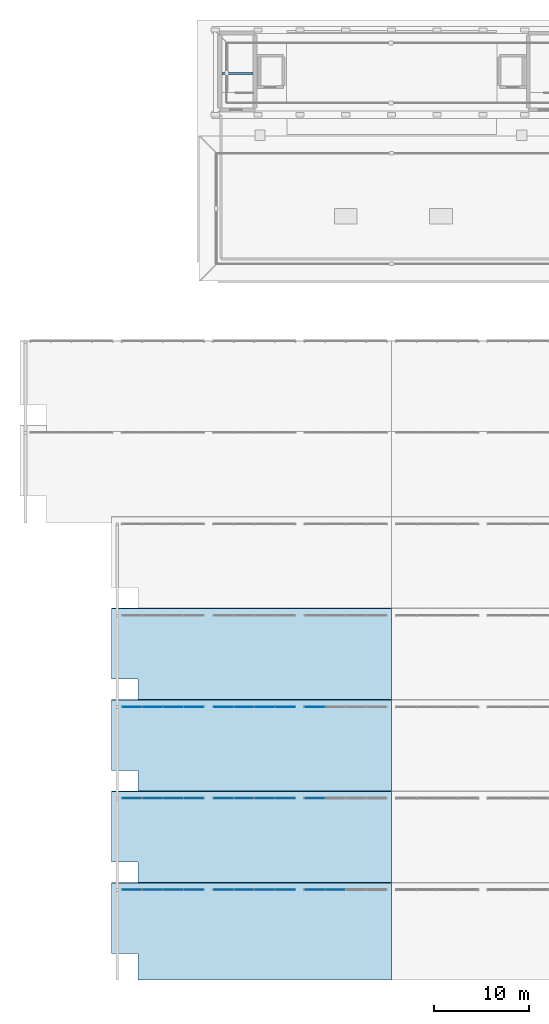
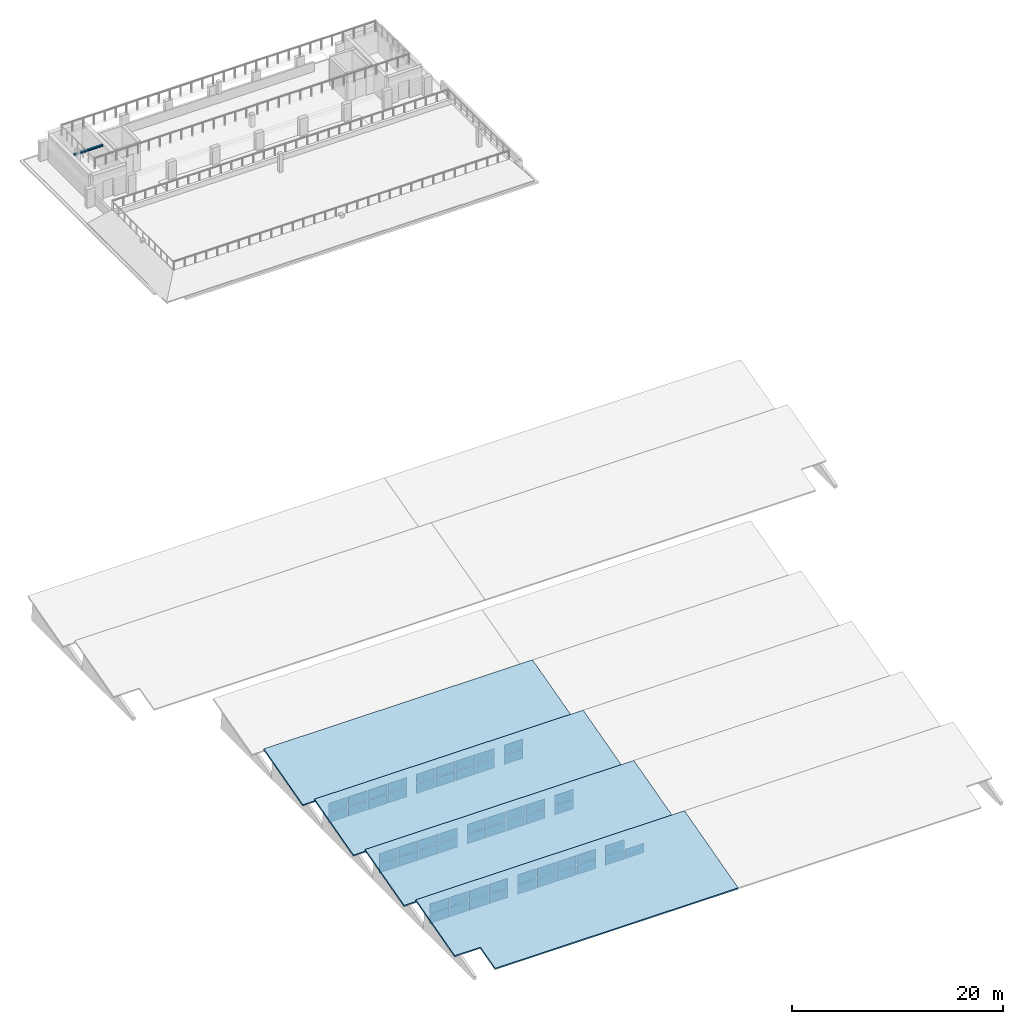
# One storey, part 10 of 18: 55 plates, 4 slabs, 1 beam, 9 elements without a shape of their own.
"""IFC4 building model written with IfcOpenShell, lengths in metres."""

from ifc_helpers import new_model, si_unit, direction, frame, origin, origin_2d, place, context, subcontext, project, spatial, polyline, rectangle, i_section, outline, extrude, material, layer, layer_set, material_profile, profile_set, type_object, element, aggregate, save


model = new_model("IFC4")

# Units and contexts
model_context = context("Model", 3, precision=1e-05, world=origin(), true_north=direction((0.0, 1.0)))
body_context = subcontext(model_context, "Body", "Model", "MODEL_VIEW")
ifc_project = project(units=[si_unit("LENGTHUNIT", "METRE"), si_unit("AREAUNIT", "SQUARE_METRE"), si_unit("VOLUMEUNIT", "CUBIC_METRE"), si_unit("PLANEANGLEUNIT", "RADIAN"), si_unit("MASSUNIT", "GRAM", prefix="KILO")], contexts=[model_context])

# Site, building, storey
site_placement = place(None, origin())
site = spatial("IfcSite", under=ifc_project, at=site_placement, CompositionType="ELEMENT")
building_placement = place(site_placement, origin())
building = spatial("IfcBuilding", under=site, at=building_placement, Name="Bempovik Park Faculty of Sciences", CompositionType="ELEMENT")
storey_placement = place(building_placement, frame((0.0, 0.0, 50.10009765625)))
storey = spatial("IfcBuildingStorey", under=building, at=storey_placement, Name="Roof", CompositionType="ELEMENT", Elevation=50.10009765625)

# Beam
ifc_material_1 = material(Name="Steel S355", Category="steel")
ifc_material_profile = material_profile(ifc_material_1, i_section(OverallWidth=0.199951171875, OverallDepth=0.199951171875, WebThickness=0.009033203125, FlangeThickness=0.014892578125, at=origin_2d()), Name="HEB 200")
ifc_profile_set = profile_set([ifc_material_profile], Name="Steel S355")
beam_type = type_object("IfcBeamType", Name="B-027 HEB 200", PredefinedType="BEAM", material=ifc_profile_set)
beam_placement = place(storey_placement, frame((71.006103515625, 115.0, 3.099853515625), z_axis=(1.0, 0.0, 0.0), x_axis=(0.0, 1.0, 0.0)))
element("IfcBeam", 1, at=beam_placement, inside=storey, type_object=beam_type, Name="Roof Head-House Trimmer Beam", PredefinedType="BEAM", context=body_context, shape_type="SweptSolid", body=[
    extrude(i_section(OverallWidth=0.199951171875, OverallDepth=0.199951171875, WebThickness=0.009033203125, FlangeThickness=0.014892578125, at=origin_2d()), origin(), (0.0, 0.0, 1.0), 3.23779296875),
])

# Curtain wall, plates
ifc_material_2 = material(Name="Tempered laminated low-E glass", Category="glass")
ifc_layer_1 = layer(ifc_material_2, 0.159912109375)
ifc_layer_set_1 = layer_set([ifc_layer_1], Name="Tempered laminated low-E glass")
curtain_wall_type_1 = type_object("IfcCurtainWallType", Name="CW-17 Curtain 7200x2550", PredefinedType="USERDEFINED", material=ifc_layer_set_1)
curtain_wall_1_placement = place(storey_placement, origin())
curtain_wall_1 = element("IfcCurtainWall", 2, at=curtain_wall_1_placement, inside=storey, type_object=curtain_wall_type_1, Name="V1 Sawtooth North-Light Clerestory Bay 1 (60.0-69.6)", ObjectType="NORTH LIGHT CLERESTORY", PredefinedType="USERDEFINED")
ifc_layer_2 = layer(ifc_material_2, 0.031982421875)
ifc_layer_set_2 = layer_set([ifc_layer_2], Name="Tempered laminated low-E glass")
plate_type = type_object("IfcPlateType", Name="CP-23 Curtain Panel 32mm", PredefinedType="CURTAIN_PANEL", material=ifc_layer_set_2)
plate_1_placement = place(storey_placement, frame((61.56005859375, 29.280029296875, -30.16015625), z_axis=(0.0, 0.0, 1.0), x_axis=(1.0, 0.0, 0.0)))
plate_1 = element("IfcPlate", 3, at=plate_1_placement, type_object=plate_type, Name="CW-NL-V1-B1-600 Panel 0-0", PredefinedType="CURTAIN_PANEL", context=body_context, shape_type="SweptSolid", body=[
    extrude(rectangle(XDim=2.080078125, YDim=0.035888671875, at=origin_2d()), origin(), (0.0, 0.0, 1.0), 1.09619140625),
])
plate_2_placement = place(storey_placement, frame((61.56005859375, 29.280029296875, -28.98388671875), z_axis=(0.0, 0.0, 1.0), x_axis=(1.0, 0.0, 0.0)))
plate_2 = element("IfcPlate", 4, at=plate_2_placement, type_object=plate_type, Name="CW-NL-V1-B1-600 Panel 0-1", PredefinedType="CURTAIN_PANEL", context=body_context, shape_type="SweptSolid", body=[
    extrude(rectangle(XDim=2.080078125, YDim=0.035888671875, at=origin_2d()), origin(), (0.0, 0.0, 1.0), 1.09619140625),
])
plate_3_placement = place(storey_placement, frame((63.719970703125, 29.280029296875, -30.16015625), z_axis=(0.0, 0.0, 1.0), x_axis=(1.0, 0.0, 0.0)))
plate_3 = element("IfcPlate", 5, at=plate_3_placement, type_object=plate_type, Name="CW-NL-V1-B1-600 Panel 1-0", PredefinedType="CURTAIN_PANEL", context=body_context, shape_type="SweptSolid", body=[
    extrude(rectangle(XDim=2.080078125, YDim=0.035888671875, at=origin_2d()), origin(), (0.0, 0.0, 1.0), 1.09619140625),
])
plate_4_placement = place(storey_placement, frame((63.719970703125, 29.280029296875, -28.98388671875), z_axis=(0.0, 0.0, 1.0), x_axis=(1.0, 0.0, 0.0)))
plate_4 = element("IfcPlate", 6, at=plate_4_placement, type_object=plate_type, Name="CW-NL-V1-B1-600 Panel 1-1", PredefinedType="CURTAIN_PANEL", context=body_context, shape_type="SweptSolid", body=[
    extrude(rectangle(XDim=2.080078125, YDim=0.035888671875, at=origin_2d()), origin(), (0.0, 0.0, 1.0), 1.09619140625),
])
plate_5_placement = place(storey_placement, frame((65.8798828125, 29.280029296875, -30.16015625), z_axis=(0.0, 0.0, 1.0), x_axis=(1.0, 0.0, 0.0)))
plate_5 = element("IfcPlate", 7, at=plate_5_placement, type_object=plate_type, Name="CW-NL-V1-B1-600 Panel 2-0", PredefinedType="CURTAIN_PANEL", context=body_context, shape_type="SweptSolid", body=[
    extrude(rectangle(XDim=2.080078125, YDim=0.035888671875, at=origin_2d()), origin(), (0.0, 0.0, 1.0), 1.09619140625),
])
plate_6_placement = place(storey_placement, frame((65.8798828125, 29.280029296875, -28.98388671875), z_axis=(0.0, 0.0, 1.0), x_axis=(1.0, 0.0, 0.0)))
plate_6 = element("IfcPlate", 8, at=plate_6_placement, type_object=plate_type, Name="CW-NL-V1-B1-600 Panel 2-1", PredefinedType="CURTAIN_PANEL", context=body_context, shape_type="SweptSolid", body=[
    extrude(rectangle(XDim=2.080078125, YDim=0.035888671875, at=origin_2d()), origin(), (0.0, 0.0, 1.0), 1.09619140625),
])
plate_7_placement = place(storey_placement, frame((68.0400390625, 29.280029296875, -30.16015625), z_axis=(0.0, 0.0, 1.0), x_axis=(1.0, 0.0, 0.0)))
plate_7 = element("IfcPlate", 9, at=plate_7_placement, type_object=plate_type, Name="CW-NL-V1-B1-600 Panel 3-0", PredefinedType="CURTAIN_PANEL", context=body_context, shape_type="SweptSolid", body=[
    extrude(rectangle(XDim=2.080078125, YDim=0.035888671875, at=origin_2d()), origin(), (0.0, 0.0, 1.0), 1.09619140625),
])
plate_8_placement = place(storey_placement, frame((68.0400390625, 29.280029296875, -28.98388671875), z_axis=(0.0, 0.0, 1.0), x_axis=(1.0, 0.0, 0.0)))
plate_8 = element("IfcPlate", 10, at=plate_8_placement, type_object=plate_type, Name="CW-NL-V1-B1-600 Panel 3-1", PredefinedType="CURTAIN_PANEL", context=body_context, shape_type="SweptSolid", body=[
    extrude(rectangle(XDim=2.080078125, YDim=0.035888671875, at=origin_2d()), origin(), (0.0, 0.0, 1.0), 1.09619140625),
])
aggregate(curtain_wall_1, [plate_1, plate_2, plate_3, plate_4, plate_5, plate_6, plate_7, plate_8])

ifc_layer_3 = layer(ifc_material_2, 0.159912109375)
ifc_layer_set_3 = layer_set([ifc_layer_3], Name="Tempered laminated low-E glass")
curtain_wall_type_2 = type_object("IfcCurtainWallType", Name="CW-53 Curtain 8000x2550", PredefinedType="USERDEFINED", material=ifc_layer_set_3)
curtain_wall_2_placement = place(storey_placement, origin())
curtain_wall_2 = element("IfcCurtainWall", 11, at=curtain_wall_2_placement, inside=storey, type_object=curtain_wall_type_2, Name="V1 Sawtooth North-Light Clerestory Bay 1 (69.6-79.2)", ObjectType="NORTH LIGHT CLERESTORY", PredefinedType="USERDEFINED")
plate_9_placement = place(storey_placement, frame((71.159912109375, 29.280029296875, -30.16015625), z_axis=(0.0, 0.0, 1.0), x_axis=(1.0, 0.0, 0.0)))
plate_9 = element("IfcPlate", 12, at=plate_9_placement, type_object=plate_type, Name="CW-NL-V1-B1-696 Panel 0-0", PredefinedType="CURTAIN_PANEL", context=body_context, shape_type="SweptSolid", body=[
    extrude(rectangle(XDim=2.080078125, YDim=0.035888671875, at=origin_2d()), origin(), (0.0, 0.0, 1.0), 1.09619140625),
])
plate_10_placement = place(storey_placement, frame((71.159912109375, 29.280029296875, -28.98388671875), z_axis=(0.0, 0.0, 1.0), x_axis=(1.0, 0.0, 0.0)))
plate_10 = element("IfcPlate", 13, at=plate_10_placement, type_object=plate_type, Name="CW-NL-V1-B1-696 Panel 0-1", PredefinedType="CURTAIN_PANEL", context=body_context, shape_type="SweptSolid", body=[
    extrude(rectangle(XDim=2.080078125, YDim=0.035888671875, at=origin_2d()), origin(), (0.0, 0.0, 1.0), 1.09619140625),
])
plate_11_placement = place(storey_placement, frame((73.320068359375, 29.280029296875, -30.16015625), z_axis=(0.0, 0.0, 1.0), x_axis=(1.0, 0.0, 0.0)))
plate_11 = element("IfcPlate", 14, at=plate_11_placement, type_object=plate_type, Name="CW-NL-V1-B1-696 Panel 1-0", PredefinedType="CURTAIN_PANEL", context=body_context, shape_type="SweptSolid", body=[
    extrude(rectangle(XDim=2.080078125, YDim=0.035888671875, at=origin_2d()), origin(), (0.0, 0.0, 1.0), 1.09619140625),
])
plate_12_placement = place(storey_placement, frame((73.320068359375, 29.280029296875, -28.98388671875), z_axis=(0.0, 0.0, 1.0), x_axis=(1.0, 0.0, 0.0)))
plate_12 = element("IfcPlate", 15, at=plate_12_placement, type_object=plate_type, Name="CW-NL-V1-B1-696 Panel 1-1", PredefinedType="CURTAIN_PANEL", context=body_context, shape_type="SweptSolid", body=[
    extrude(rectangle(XDim=2.080078125, YDim=0.035888671875, at=origin_2d()), origin(), (0.0, 0.0, 1.0), 1.09619140625),
])
plate_13_placement = place(storey_placement, frame((75.47998046875, 29.280029296875, -30.16015625), z_axis=(0.0, 0.0, 1.0), x_axis=(1.0, 0.0, 0.0)))
plate_13 = element("IfcPlate", 16, at=plate_13_placement, type_object=plate_type, Name="CW-NL-V1-B1-696 Panel 2-0", PredefinedType="CURTAIN_PANEL", context=body_context, shape_type="SweptSolid", body=[
    extrude(rectangle(XDim=2.080078125, YDim=0.035888671875, at=origin_2d()), origin(), (0.0, 0.0, 1.0), 1.09619140625),
])
plate_14_placement = place(storey_placement, frame((75.47998046875, 29.280029296875, -28.98388671875), z_axis=(0.0, 0.0, 1.0), x_axis=(1.0, 0.0, 0.0)))
plate_14 = element("IfcPlate", 17, at=plate_14_placement, type_object=plate_type, Name="CW-NL-V1-B1-696 Panel 2-1", PredefinedType="CURTAIN_PANEL", context=body_context, shape_type="SweptSolid", body=[
    extrude(rectangle(XDim=2.080078125, YDim=0.035888671875, at=origin_2d()), origin(), (0.0, 0.0, 1.0), 1.09619140625),
])
plate_15_placement = place(storey_placement, frame((77.639892578125, 29.280029296875, -30.16015625), z_axis=(0.0, 0.0, 1.0), x_axis=(1.0, 0.0, 0.0)))
plate_15 = element("IfcPlate", 18, at=plate_15_placement, type_object=plate_type, Name="CW-NL-V1-B1-696 Panel 3-0", PredefinedType="CURTAIN_PANEL", context=body_context, shape_type="SweptSolid", body=[
    extrude(rectangle(XDim=2.080078125, YDim=0.035888671875, at=origin_2d()), origin(), (0.0, 0.0, 1.0), 1.09619140625),
])
plate_16_placement = place(storey_placement, frame((77.639892578125, 29.280029296875, -28.98388671875), z_axis=(0.0, 0.0, 1.0), x_axis=(1.0, 0.0, 0.0)))
plate_16 = element("IfcPlate", 19, at=plate_16_placement, type_object=plate_type, Name="CW-NL-V1-B1-696 Panel 3-1", PredefinedType="CURTAIN_PANEL", context=body_context, shape_type="SweptSolid", body=[
    extrude(rectangle(XDim=2.080078125, YDim=0.035888671875, at=origin_2d()), origin(), (0.0, 0.0, 1.0), 1.09619140625),
])
aggregate(curtain_wall_2, [plate_9, plate_10, plate_11, plate_12, plate_13, plate_14, plate_15, plate_16])

curtain_wall_3_placement = place(storey_placement, origin())
curtain_wall_3 = element("IfcCurtainWall", 20, at=curtain_wall_3_placement, inside=storey, type_object=curtain_wall_type_2, Name="V1 Sawtooth North-Light Clerestory Bay 1 (79.2-88.8)", ObjectType="NORTH LIGHT CLERESTORY", PredefinedType="USERDEFINED")
plate_17_placement = place(storey_placement, frame((80.760009765625, 29.280029296875, -30.16015625), z_axis=(0.0, 0.0, 1.0), x_axis=(1.0, 0.0, 0.0)))
plate_17 = element("IfcPlate", 21, at=plate_17_placement, type_object=plate_type, Name="CW-NL-V1-B1-792 Panel 0-0", PredefinedType="CURTAIN_PANEL", context=body_context, shape_type="SweptSolid", body=[
    extrude(rectangle(XDim=2.080078125, YDim=0.035888671875, at=origin_2d()), origin(), (0.0, 0.0, 1.0), 1.09619140625),
])
plate_18_placement = place(storey_placement, frame((80.760009765625, 29.280029296875, -28.98388671875), z_axis=(0.0, 0.0, 1.0), x_axis=(1.0, 0.0, 0.0)))
plate_18 = element("IfcPlate", 22, at=plate_18_placement, type_object=plate_type, Name="CW-NL-V1-B1-792 Panel 0-1", PredefinedType="CURTAIN_PANEL", context=body_context, shape_type="SweptSolid", body=[
    extrude(rectangle(XDim=2.080078125, YDim=0.035888671875, at=origin_2d()), origin(), (0.0, 0.0, 1.0), 1.09619140625),
])
plate_19_placement = place(storey_placement, frame((82.919921875, 29.280029296875, -30.16015625), z_axis=(0.0, 0.0, 1.0), x_axis=(1.0, 0.0, 0.0)))
plate_19 = element("IfcPlate", 23, at=plate_19_placement, type_object=plate_type, Name="CW-NL-V1-B1-792 Panel 1-0", PredefinedType="CURTAIN_PANEL", context=body_context, shape_type="SweptSolid", body=[
    extrude(rectangle(XDim=2.080078125, YDim=0.035888671875, at=origin_2d()), origin(), (0.0, 0.0, 1.0), 1.09619140625),
])
aggregate(curtain_wall_3, [plate_17, plate_18, plate_19])

curtain_wall_4_placement = place(storey_placement, origin())
curtain_wall_4 = element("IfcCurtainWall", 24, at=curtain_wall_4_placement, inside=storey, type_object=curtain_wall_type_1, Name="V1 Sawtooth North-Light Clerestory Bay 2 (60.0-69.6)", ObjectType="NORTH LIGHT CLERESTORY", PredefinedType="USERDEFINED")
plate_20_placement = place(storey_placement, frame((61.56005859375, 38.8798828125, -30.16015625), z_axis=(0.0, 0.0, 1.0), x_axis=(1.0, 0.0, 0.0)))
plate_20 = element("IfcPlate", 25, at=plate_20_placement, type_object=plate_type, Name="CW-NL-V1-B2-600 Panel 0-0", PredefinedType="CURTAIN_PANEL", context=body_context, shape_type="SweptSolid", body=[
    extrude(rectangle(XDim=2.080078125, YDim=0.035888671875, at=origin_2d()), origin(), (0.0, 0.0, 1.0), 1.09619140625),
])
plate_21_placement = place(storey_placement, frame((61.56005859375, 38.8798828125, -28.98388671875), z_axis=(0.0, 0.0, 1.0), x_axis=(1.0, 0.0, 0.0)))
plate_21 = element("IfcPlate", 26, at=plate_21_placement, type_object=plate_type, Name="CW-NL-V1-B2-600 Panel 0-1", PredefinedType="CURTAIN_PANEL", context=body_context, shape_type="SweptSolid", body=[
    extrude(rectangle(XDim=2.080078125, YDim=0.035888671875, at=origin_2d()), origin(), (0.0, 0.0, 1.0), 1.09619140625),
])
plate_22_placement = place(storey_placement, frame((63.719970703125, 38.8798828125, -30.16015625), z_axis=(0.0, 0.0, 1.0), x_axis=(1.0, 0.0, 0.0)))
plate_22 = element("IfcPlate", 27, at=plate_22_placement, type_object=plate_type, Name="CW-NL-V1-B2-600 Panel 1-0", PredefinedType="CURTAIN_PANEL", context=body_context, shape_type="SweptSolid", body=[
    extrude(rectangle(XDim=2.080078125, YDim=0.035888671875, at=origin_2d()), origin(), (0.0, 0.0, 1.0), 1.09619140625),
])
plate_23_placement = place(storey_placement, frame((63.719970703125, 38.8798828125, -28.98388671875), z_axis=(0.0, 0.0, 1.0), x_axis=(1.0, 0.0, 0.0)))
plate_23 = element("IfcPlate", 28, at=plate_23_placement, type_object=plate_type, Name="CW-NL-V1-B2-600 Panel 1-1", PredefinedType="CURTAIN_PANEL", context=body_context, shape_type="SweptSolid", body=[
    extrude(rectangle(XDim=2.080078125, YDim=0.035888671875, at=origin_2d()), origin(), (0.0, 0.0, 1.0), 1.09619140625),
])
plate_24_placement = place(storey_placement, frame((65.8798828125, 38.8798828125, -30.16015625), z_axis=(0.0, 0.0, 1.0), x_axis=(1.0, 0.0, 0.0)))
plate_24 = element("IfcPlate", 29, at=plate_24_placement, type_object=plate_type, Name="CW-NL-V1-B2-600 Panel 2-0", PredefinedType="CURTAIN_PANEL", context=body_context, shape_type="SweptSolid", body=[
    extrude(rectangle(XDim=2.080078125, YDim=0.035888671875, at=origin_2d()), origin(), (0.0, 0.0, 1.0), 1.09619140625),
])
plate_25_placement = place(storey_placement, frame((65.8798828125, 38.8798828125, -28.98388671875), z_axis=(0.0, 0.0, 1.0), x_axis=(1.0, 0.0, 0.0)))
plate_25 = element("IfcPlate", 30, at=plate_25_placement, type_object=plate_type, Name="CW-NL-V1-B2-600 Panel 2-1", PredefinedType="CURTAIN_PANEL", context=body_context, shape_type="SweptSolid", body=[
    extrude(rectangle(XDim=2.080078125, YDim=0.035888671875, at=origin_2d()), origin(), (0.0, 0.0, 1.0), 1.09619140625),
])
plate_26_placement = place(storey_placement, frame((68.0400390625, 38.8798828125, -30.16015625), z_axis=(0.0, 0.0, 1.0), x_axis=(1.0, 0.0, 0.0)))
plate_26 = element("IfcPlate", 31, at=plate_26_placement, type_object=plate_type, Name="CW-NL-V1-B2-600 Panel 3-0", PredefinedType="CURTAIN_PANEL", context=body_context, shape_type="SweptSolid", body=[
    extrude(rectangle(XDim=2.080078125, YDim=0.035888671875, at=origin_2d()), origin(), (0.0, 0.0, 1.0), 1.09619140625),
])
plate_27_placement = place(storey_placement, frame((68.0400390625, 38.8798828125, -28.98388671875), z_axis=(0.0, 0.0, 1.0), x_axis=(1.0, 0.0, 0.0)))
plate_27 = element("IfcPlate", 32, at=plate_27_placement, type_object=plate_type, Name="CW-NL-V1-B2-600 Panel 3-1", PredefinedType="CURTAIN_PANEL", context=body_context, shape_type="SweptSolid", body=[
    extrude(rectangle(XDim=2.080078125, YDim=0.035888671875, at=origin_2d()), origin(), (0.0, 0.0, 1.0), 1.09619140625),
])
aggregate(curtain_wall_4, [plate_20, plate_21, plate_22, plate_23, plate_24, plate_25, plate_26, plate_27])

curtain_wall_5_placement = place(storey_placement, origin())
curtain_wall_5 = element("IfcCurtainWall", 33, at=curtain_wall_5_placement, inside=storey, type_object=curtain_wall_type_2, Name="V1 Sawtooth North-Light Clerestory Bay 2 (69.6-79.2)", ObjectType="NORTH LIGHT CLERESTORY", PredefinedType="USERDEFINED")
plate_28_placement = place(storey_placement, frame((71.159912109375, 38.8798828125, -30.16015625), z_axis=(0.0, 0.0, 1.0), x_axis=(1.0, 0.0, 0.0)))
plate_28 = element("IfcPlate", 34, at=plate_28_placement, type_object=plate_type, Name="CW-NL-V1-B2-696 Panel 0-0", PredefinedType="CURTAIN_PANEL", context=body_context, shape_type="SweptSolid", body=[
    extrude(rectangle(XDim=2.080078125, YDim=0.035888671875, at=origin_2d()), origin(), (0.0, 0.0, 1.0), 1.09619140625),
])
plate_29_placement = place(storey_placement, frame((71.159912109375, 38.8798828125, -28.98388671875), z_axis=(0.0, 0.0, 1.0), x_axis=(1.0, 0.0, 0.0)))
plate_29 = element("IfcPlate", 35, at=plate_29_placement, type_object=plate_type, Name="CW-NL-V1-B2-696 Panel 0-1", PredefinedType="CURTAIN_PANEL", context=body_context, shape_type="SweptSolid", body=[
    extrude(rectangle(XDim=2.080078125, YDim=0.035888671875, at=origin_2d()), origin(), (0.0, 0.0, 1.0), 1.09619140625),
])
plate_30_placement = place(storey_placement, frame((73.320068359375, 38.8798828125, -30.16015625), z_axis=(0.0, 0.0, 1.0), x_axis=(1.0, 0.0, 0.0)))
plate_30 = element("IfcPlate", 36, at=plate_30_placement, type_object=plate_type, Name="CW-NL-V1-B2-696 Panel 1-0", PredefinedType="CURTAIN_PANEL", context=body_context, shape_type="SweptSolid", body=[
    extrude(rectangle(XDim=2.080078125, YDim=0.035888671875, at=origin_2d()), origin(), (0.0, 0.0, 1.0), 1.09619140625),
])
plate_31_placement = place(storey_placement, frame((73.320068359375, 38.8798828125, -28.98388671875), z_axis=(0.0, 0.0, 1.0), x_axis=(1.0, 0.0, 0.0)))
plate_31 = element("IfcPlate", 37, at=plate_31_placement, type_object=plate_type, Name="CW-NL-V1-B2-696 Panel 1-1", PredefinedType="CURTAIN_PANEL", context=body_context, shape_type="SweptSolid", body=[
    extrude(rectangle(XDim=2.080078125, YDim=0.035888671875, at=origin_2d()), origin(), (0.0, 0.0, 1.0), 1.09619140625),
])
plate_32_placement = place(storey_placement, frame((75.47998046875, 38.8798828125, -30.16015625), z_axis=(0.0, 0.0, 1.0), x_axis=(1.0, 0.0, 0.0)))
plate_32 = element("IfcPlate", 38, at=plate_32_placement, type_object=plate_type, Name="CW-NL-V1-B2-696 Panel 2-0", PredefinedType="CURTAIN_PANEL", context=body_context, shape_type="SweptSolid", body=[
    extrude(rectangle(XDim=2.080078125, YDim=0.035888671875, at=origin_2d()), origin(), (0.0, 0.0, 1.0), 1.09619140625),
])
plate_33_placement = place(storey_placement, frame((75.47998046875, 38.8798828125, -28.98388671875), z_axis=(0.0, 0.0, 1.0), x_axis=(1.0, 0.0, 0.0)))
plate_33 = element("IfcPlate", 39, at=plate_33_placement, type_object=plate_type, Name="CW-NL-V1-B2-696 Panel 2-1", PredefinedType="CURTAIN_PANEL", context=body_context, shape_type="SweptSolid", body=[
    extrude(rectangle(XDim=2.080078125, YDim=0.035888671875, at=origin_2d()), origin(), (0.0, 0.0, 1.0), 1.09619140625),
])
plate_34_placement = place(storey_placement, frame((77.639892578125, 38.8798828125, -30.16015625), z_axis=(0.0, 0.0, 1.0), x_axis=(1.0, 0.0, 0.0)))
plate_34 = element("IfcPlate", 40, at=plate_34_placement, type_object=plate_type, Name="CW-NL-V1-B2-696 Panel 3-0", PredefinedType="CURTAIN_PANEL", context=body_context, shape_type="SweptSolid", body=[
    extrude(rectangle(XDim=2.080078125, YDim=0.035888671875, at=origin_2d()), origin(), (0.0, 0.0, 1.0), 1.09619140625),
])
plate_35_placement = place(storey_placement, frame((77.639892578125, 38.8798828125, -28.98388671875), z_axis=(0.0, 0.0, 1.0), x_axis=(1.0, 0.0, 0.0)))
plate_35 = element("IfcPlate", 41, at=plate_35_placement, type_object=plate_type, Name="CW-NL-V1-B2-696 Panel 3-1", PredefinedType="CURTAIN_PANEL", context=body_context, shape_type="SweptSolid", body=[
    extrude(rectangle(XDim=2.080078125, YDim=0.035888671875, at=origin_2d()), origin(), (0.0, 0.0, 1.0), 1.09619140625),
])
aggregate(curtain_wall_5, [plate_28, plate_29, plate_30, plate_31, plate_32, plate_33, plate_34, plate_35])

curtain_wall_6_placement = place(storey_placement, origin())
curtain_wall_6 = element("IfcCurtainWall", 42, at=curtain_wall_6_placement, inside=storey, type_object=curtain_wall_type_2, Name="V1 Sawtooth North-Light Clerestory Bay 2 (79.2-88.8)", ObjectType="NORTH LIGHT CLERESTORY", PredefinedType="USERDEFINED")
plate_36_placement = place(storey_placement, frame((80.760009765625, 38.8798828125, -30.16015625), z_axis=(0.0, 0.0, 1.0), x_axis=(1.0, 0.0, 0.0)))
plate_36 = element("IfcPlate", 43, at=plate_36_placement, type_object=plate_type, Name="CW-NL-V1-B2-792 Panel 0-0", PredefinedType="CURTAIN_PANEL", context=body_context, shape_type="SweptSolid", body=[
    extrude(rectangle(XDim=2.080078125, YDim=0.035888671875, at=origin_2d()), origin(), (0.0, 0.0, 1.0), 1.09619140625),
])
plate_37_placement = place(storey_placement, frame((80.760009765625, 38.8798828125, -28.98388671875), z_axis=(0.0, 0.0, 1.0), x_axis=(1.0, 0.0, 0.0)))
plate_37 = element("IfcPlate", 44, at=plate_37_placement, type_object=plate_type, Name="CW-NL-V1-B2-792 Panel 0-1", PredefinedType="CURTAIN_PANEL", context=body_context, shape_type="SweptSolid", body=[
    extrude(rectangle(XDim=2.080078125, YDim=0.035888671875, at=origin_2d()), origin(), (0.0, 0.0, 1.0), 1.09619140625),
])
aggregate(curtain_wall_6, [plate_36, plate_37])

curtain_wall_7_placement = place(storey_placement, origin())
curtain_wall_7 = element("IfcCurtainWall", 45, at=curtain_wall_7_placement, inside=storey, type_object=curtain_wall_type_1, Name="V1 Sawtooth North-Light Clerestory Bay 3 (60.0-69.6)", ObjectType="NORTH LIGHT CLERESTORY", PredefinedType="USERDEFINED")
plate_38_placement = place(storey_placement, frame((61.56005859375, 48.47998046875, -30.16015625), z_axis=(0.0, 0.0, 1.0), x_axis=(1.0, 0.0, 0.0)))
plate_38 = element("IfcPlate", 46, at=plate_38_placement, type_object=plate_type, Name="CW-NL-V1-B3-600 Panel 0-0", PredefinedType="CURTAIN_PANEL", context=body_context, shape_type="SweptSolid", body=[
    extrude(rectangle(XDim=2.080078125, YDim=0.035888671875, at=origin_2d()), origin(), (0.0, 0.0, 1.0), 1.09619140625),
])
plate_39_placement = place(storey_placement, frame((61.56005859375, 48.47998046875, -28.98388671875), z_axis=(0.0, 0.0, 1.0), x_axis=(1.0, 0.0, 0.0)))
plate_39 = element("IfcPlate", 47, at=plate_39_placement, type_object=plate_type, Name="CW-NL-V1-B3-600 Panel 0-1", PredefinedType="CURTAIN_PANEL", context=body_context, shape_type="SweptSolid", body=[
    extrude(rectangle(XDim=2.080078125, YDim=0.035888671875, at=origin_2d()), origin(), (0.0, 0.0, 1.0), 1.09619140625),
])
plate_40_placement = place(storey_placement, frame((63.719970703125, 48.47998046875, -30.16015625), z_axis=(0.0, 0.0, 1.0), x_axis=(1.0, 0.0, 0.0)))
plate_40 = element("IfcPlate", 48, at=plate_40_placement, type_object=plate_type, Name="CW-NL-V1-B3-600 Panel 1-0", PredefinedType="CURTAIN_PANEL", context=body_context, shape_type="SweptSolid", body=[
    extrude(rectangle(XDim=2.080078125, YDim=0.035888671875, at=origin_2d()), origin(), (0.0, 0.0, 1.0), 1.09619140625),
])
plate_41_placement = place(storey_placement, frame((63.719970703125, 48.47998046875, -28.98388671875), z_axis=(0.0, 0.0, 1.0), x_axis=(1.0, 0.0, 0.0)))
plate_41 = element("IfcPlate", 49, at=plate_41_placement, type_object=plate_type, Name="CW-NL-V1-B3-600 Panel 1-1", PredefinedType="CURTAIN_PANEL", context=body_context, shape_type="SweptSolid", body=[
    extrude(rectangle(XDim=2.080078125, YDim=0.035888671875, at=origin_2d()), origin(), (0.0, 0.0, 1.0), 1.09619140625),
])
plate_42_placement = place(storey_placement, frame((65.8798828125, 48.47998046875, -30.16015625), z_axis=(0.0, 0.0, 1.0), x_axis=(1.0, 0.0, 0.0)))
plate_42 = element("IfcPlate", 50, at=plate_42_placement, type_object=plate_type, Name="CW-NL-V1-B3-600 Panel 2-0", PredefinedType="CURTAIN_PANEL", context=body_context, shape_type="SweptSolid", body=[
    extrude(rectangle(XDim=2.080078125, YDim=0.035888671875, at=origin_2d()), origin(), (0.0, 0.0, 1.0), 1.09619140625),
])
plate_43_placement = place(storey_placement, frame((65.8798828125, 48.47998046875, -28.98388671875), z_axis=(0.0, 0.0, 1.0), x_axis=(1.0, 0.0, 0.0)))
plate_43 = element("IfcPlate", 51, at=plate_43_placement, type_object=plate_type, Name="CW-NL-V1-B3-600 Panel 2-1", PredefinedType="CURTAIN_PANEL", context=body_context, shape_type="SweptSolid", body=[
    extrude(rectangle(XDim=2.080078125, YDim=0.035888671875, at=origin_2d()), origin(), (0.0, 0.0, 1.0), 1.09619140625),
])
plate_44_placement = place(storey_placement, frame((68.0400390625, 48.47998046875, -30.16015625), z_axis=(0.0, 0.0, 1.0), x_axis=(1.0, 0.0, 0.0)))
plate_44 = element("IfcPlate", 52, at=plate_44_placement, type_object=plate_type, Name="CW-NL-V1-B3-600 Panel 3-0", PredefinedType="CURTAIN_PANEL", context=body_context, shape_type="SweptSolid", body=[
    extrude(rectangle(XDim=2.080078125, YDim=0.035888671875, at=origin_2d()), origin(), (0.0, 0.0, 1.0), 1.09619140625),
])
plate_45_placement = place(storey_placement, frame((68.0400390625, 48.47998046875, -28.98388671875), z_axis=(0.0, 0.0, 1.0), x_axis=(1.0, 0.0, 0.0)))
plate_45 = element("IfcPlate", 53, at=plate_45_placement, type_object=plate_type, Name="CW-NL-V1-B3-600 Panel 3-1", PredefinedType="CURTAIN_PANEL", context=body_context, shape_type="SweptSolid", body=[
    extrude(rectangle(XDim=2.080078125, YDim=0.035888671875, at=origin_2d()), origin(), (0.0, 0.0, 1.0), 1.09619140625),
])
aggregate(curtain_wall_7, [plate_38, plate_39, plate_40, plate_41, plate_42, plate_43, plate_44, plate_45])

curtain_wall_8_placement = place(storey_placement, origin())
curtain_wall_8 = element("IfcCurtainWall", 54, at=curtain_wall_8_placement, inside=storey, type_object=curtain_wall_type_2, Name="V1 Sawtooth North-Light Clerestory Bay 3 (69.6-79.2)", ObjectType="NORTH LIGHT CLERESTORY", PredefinedType="USERDEFINED")
plate_46_placement = place(storey_placement, frame((71.159912109375, 48.47998046875, -30.16015625), z_axis=(0.0, 0.0, 1.0), x_axis=(1.0, 0.0, 0.0)))
plate_46 = element("IfcPlate", 55, at=plate_46_placement, type_object=plate_type, Name="CW-NL-V1-B3-696 Panel 0-0", PredefinedType="CURTAIN_PANEL", context=body_context, shape_type="SweptSolid", body=[
    extrude(rectangle(XDim=2.080078125, YDim=0.035888671875, at=origin_2d()), origin(), (0.0, 0.0, 1.0), 1.09619140625),
])
plate_47_placement = place(storey_placement, frame((71.159912109375, 48.47998046875, -28.98388671875), z_axis=(0.0, 0.0, 1.0), x_axis=(1.0, 0.0, 0.0)))
plate_47 = element("IfcPlate", 56, at=plate_47_placement, type_object=plate_type, Name="CW-NL-V1-B3-696 Panel 0-1", PredefinedType="CURTAIN_PANEL", context=body_context, shape_type="SweptSolid", body=[
    extrude(rectangle(XDim=2.080078125, YDim=0.035888671875, at=origin_2d()), origin(), (0.0, 0.0, 1.0), 1.09619140625),
])
plate_48_placement = place(storey_placement, frame((73.320068359375, 48.47998046875, -30.16015625), z_axis=(0.0, 0.0, 1.0), x_axis=(1.0, 0.0, 0.0)))
plate_48 = element("IfcPlate", 57, at=plate_48_placement, type_object=plate_type, Name="CW-NL-V1-B3-696 Panel 1-0", PredefinedType="CURTAIN_PANEL", context=body_context, shape_type="SweptSolid", body=[
    extrude(rectangle(XDim=2.080078125, YDim=0.035888671875, at=origin_2d()), origin(), (0.0, 0.0, 1.0), 1.09619140625),
])
plate_49_placement = place(storey_placement, frame((73.320068359375, 48.47998046875, -28.98388671875), z_axis=(0.0, 0.0, 1.0), x_axis=(1.0, 0.0, 0.0)))
plate_49 = element("IfcPlate", 58, at=plate_49_placement, type_object=plate_type, Name="CW-NL-V1-B3-696 Panel 1-1", PredefinedType="CURTAIN_PANEL", context=body_context, shape_type="SweptSolid", body=[
    extrude(rectangle(XDim=2.080078125, YDim=0.035888671875, at=origin_2d()), origin(), (0.0, 0.0, 1.0), 1.09619140625),
])
plate_50_placement = place(storey_placement, frame((75.47998046875, 48.47998046875, -30.16015625), z_axis=(0.0, 0.0, 1.0), x_axis=(1.0, 0.0, 0.0)))
plate_50 = element("IfcPlate", 59, at=plate_50_placement, type_object=plate_type, Name="CW-NL-V1-B3-696 Panel 2-0", PredefinedType="CURTAIN_PANEL", context=body_context, shape_type="SweptSolid", body=[
    extrude(rectangle(XDim=2.080078125, YDim=0.035888671875, at=origin_2d()), origin(), (0.0, 0.0, 1.0), 1.09619140625),
])
plate_51_placement = place(storey_placement, frame((75.47998046875, 48.47998046875, -28.98388671875), z_axis=(0.0, 0.0, 1.0), x_axis=(1.0, 0.0, 0.0)))
plate_51 = element("IfcPlate", 60, at=plate_51_placement, type_object=plate_type, Name="CW-NL-V1-B3-696 Panel 2-1", PredefinedType="CURTAIN_PANEL", context=body_context, shape_type="SweptSolid", body=[
    extrude(rectangle(XDim=2.080078125, YDim=0.035888671875, at=origin_2d()), origin(), (0.0, 0.0, 1.0), 1.09619140625),
])
plate_52_placement = place(storey_placement, frame((77.639892578125, 48.47998046875, -30.16015625), z_axis=(0.0, 0.0, 1.0), x_axis=(1.0, 0.0, 0.0)))
plate_52 = element("IfcPlate", 61, at=plate_52_placement, type_object=plate_type, Name="CW-NL-V1-B3-696 Panel 3-0", PredefinedType="CURTAIN_PANEL", context=body_context, shape_type="SweptSolid", body=[
    extrude(rectangle(XDim=2.080078125, YDim=0.035888671875, at=origin_2d()), origin(), (0.0, 0.0, 1.0), 1.09619140625),
])
plate_53_placement = place(storey_placement, frame((77.639892578125, 48.47998046875, -28.98388671875), z_axis=(0.0, 0.0, 1.0), x_axis=(1.0, 0.0, 0.0)))
plate_53 = element("IfcPlate", 62, at=plate_53_placement, type_object=plate_type, Name="CW-NL-V1-B3-696 Panel 3-1", PredefinedType="CURTAIN_PANEL", context=body_context, shape_type="SweptSolid", body=[
    extrude(rectangle(XDim=2.080078125, YDim=0.035888671875, at=origin_2d()), origin(), (0.0, 0.0, 1.0), 1.09619140625),
])
aggregate(curtain_wall_8, [plate_46, plate_47, plate_48, plate_49, plate_50, plate_51, plate_52, plate_53])

curtain_wall_9_placement = place(storey_placement, origin())
curtain_wall_9 = element("IfcCurtainWall", 63, at=curtain_wall_9_placement, inside=storey, type_object=curtain_wall_type_2, Name="V1 Sawtooth North-Light Clerestory Bay 3 (79.2-88.8)", ObjectType="NORTH LIGHT CLERESTORY", PredefinedType="USERDEFINED")
plate_54_placement = place(storey_placement, frame((80.760009765625, 48.47998046875, -30.16015625), z_axis=(0.0, 0.0, 1.0), x_axis=(1.0, 0.0, 0.0)))
plate_54 = element("IfcPlate", 64, at=plate_54_placement, type_object=plate_type, Name="CW-NL-V1-B3-792 Panel 0-0", PredefinedType="CURTAIN_PANEL", context=body_context, shape_type="SweptSolid", body=[
    extrude(rectangle(XDim=2.080078125, YDim=0.035888671875, at=origin_2d()), origin(), (0.0, 0.0, 1.0), 1.09619140625),
])
plate_55_placement = place(storey_placement, frame((80.760009765625, 48.47998046875, -28.98388671875), z_axis=(0.0, 0.0, 1.0), x_axis=(1.0, 0.0, 0.0)))
plate_55 = element("IfcPlate", 65, at=plate_55_placement, type_object=plate_type, Name="CW-NL-V1-B3-792 Panel 0-1", PredefinedType="CURTAIN_PANEL", context=body_context, shape_type="SweptSolid", body=[
    extrude(rectangle(XDim=2.080078125, YDim=0.035888671875, at=origin_2d()), origin(), (0.0, 0.0, 1.0), 1.09619140625),
])
aggregate(curtain_wall_9, [plate_54, plate_55])

# Slabs
ifc_material_3 = material(Name="Concrete C35/45", Category="concrete")
ifc_layer_4 = layer(ifc_material_3, 0.18994140625)
ifc_layer_set_4 = layer_set([ifc_layer_4], Name="Concrete C35/45")
slab_type = type_object("IfcSlabType", Name="S-23 Slab 190mm", PredefinedType="ROOF", material=ifc_layer_set_4)
slab_1_placement = place(storey_placement, frame((62.199951171875, 19.800048828125, -30.2001953125), z_axis=(-8.46531e-07, -0.258827043489, 0.965923683092), x_axis=(1.0, -2.19105e-07, 8.17684e-07)))
element("IfcSlab", 66, at=slab_1_placement, inside=storey, type_object=slab_type, Name="Sawtooth 15-deg North-Light Roof Slab V1 Bay 1 (W)", PredefinedType="ROOF", context=body_context, shape_type="SweptSolid", body=[
    extrude(outline(polyline([(0.0, 0.0), (26.60009765624047, 0.0), (26.60009765623646, 10.559788649359323), (-2.80004882812801, 10.559788649359323), (-2.8000488281661338, 2.898816949713909), (-4.2137170230820644e-11, 2.898816949713909), (0.0, 0.0)])), origin(), (0.0, 0.0, -1.0), 0.18994140625),
])
slab_2_placement = place(storey_placement, frame((62.199951171875, 29.39990234375, -30.2001953125), z_axis=(-5.43609e-07, -0.258821108319, 0.965925273449), x_axis=(1.0, -1.40697e-07, 5.25085e-07)))
element("IfcSlab", 67, at=slab_2_placement, inside=storey, type_object=slab_type, Name="Sawtooth 15-deg North-Light Roof Slab V1 Bay 2 (W)", PredefinedType="ROOF", context=body_context, shape_type="SweptSolid", body=[
    extrude(outline(polyline([(0.0, 0.0), (26.60009765624607, 0.0), (26.600097656244415, 10.560024470789072), (-2.8000488281262412, 10.560024470789072), (-2.800048828141963, 2.898816949965039), (-1.737610414416349e-11, 2.898816949965039), (0.0, 0.0)])), origin(), (0.0, 0.0, -1.0), 0.18994140625),
])
slab_3_placement = place(storey_placement, frame((62.199951171875, 39.0, -30.2001953125), z_axis=(-8.46531e-07, -0.258827043489, 0.965923683092), x_axis=(1.0, -2.19105e-07, 8.17684e-07)))
element("IfcSlab", 68, at=slab_3_placement, inside=storey, type_object=slab_type, Name="Sawtooth 15-deg North-Light Roof Slab V1 Bay 3 (W)", PredefinedType="ROOF", context=body_context, shape_type="SweptSolid", body=[
    extrude(outline(polyline([(0.0, 0.0), (26.60009765624047, 0.0), (26.60009765623646, 10.559788649359323), (-2.80004882812801, 10.559788649359323), (-2.8000488281661338, 2.898816949713909), (-4.2137170230820644e-11, 2.898816949713909), (0.0, 0.0)])), origin(), (0.0, 0.0, -1.0), 0.18994140625),
])
slab_4_placement = place(storey_placement, frame((62.199951171875, 48.60009765625, -30.2001953125), z_axis=(2.56975e-07, -0.258826478217, 0.965923834561), x_axis=(1.0, 6.6512e-08, -2.48218e-07)))
element("IfcSlab", 69, at=slab_4_placement, inside=storey, type_object=slab_type, Name="Sawtooth 15-deg North-Light Roof Slab V1 Bay 4 (W)", PredefinedType="ROOF", context=body_context, shape_type="SweptSolid", body=[
    extrude(outline(polyline([(0.0, 0.0), (26.600097656249122, 0.0), (26.600097656248753, 10.559788649360287), (-2.8000488281252776, 10.559788649360287), (-2.8000488281287903, 2.8985811284938707), (-3.882946980585107e-12, 2.8985811284938707), (0.0, 0.0)])), origin(), (0.0, 0.0, -1.0), 0.18994140625),
])

save(model, "model.ifc")
